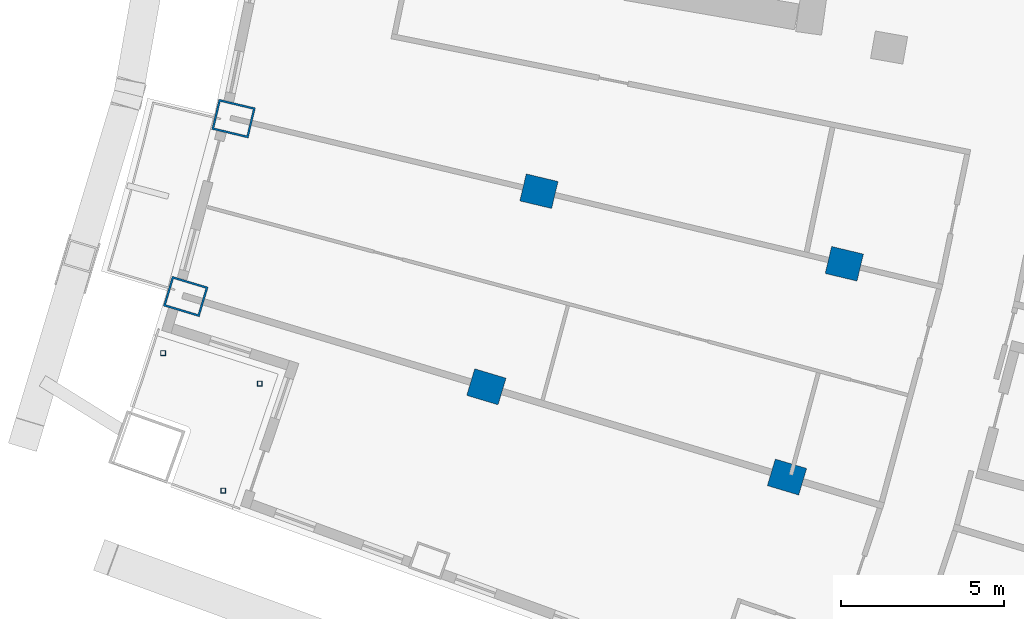
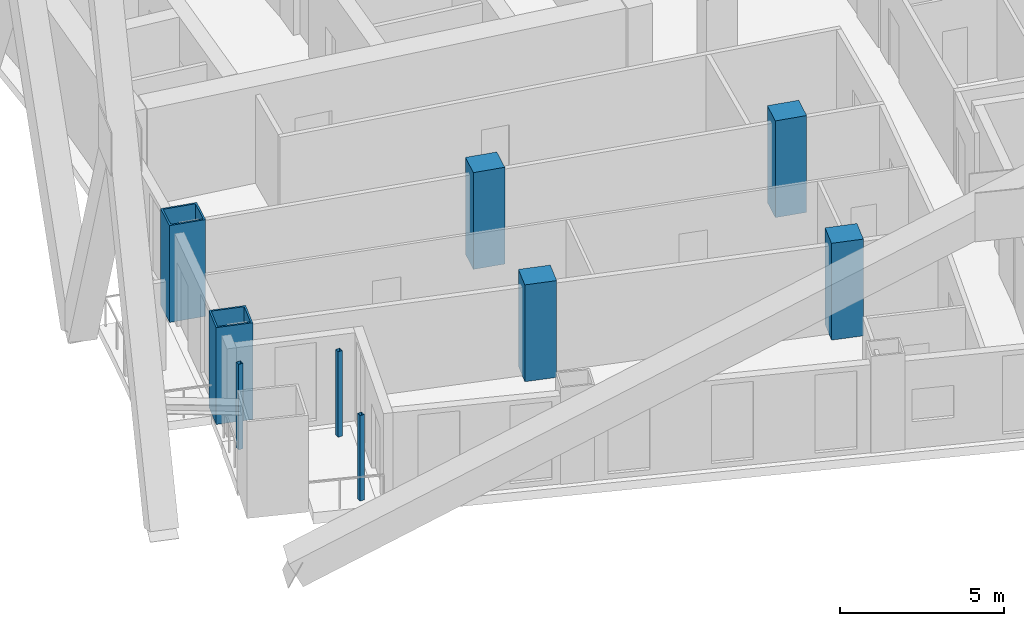
# One storey, part 2 of 24: 9 columns.
"""IFC4 building model written with IfcOpenShell, lengths in metres."""

from ifc_helpers import new_model, si_unit, direction, frame, origin, origin_2d, place, context, subcontext, project, spatial, rectangle, hollow_rectangle, extrude, material, material_profile, profile_set, type_object, element, save


model = new_model("IFC4")

# Units and contexts
model_context = context("Model", 3, precision=1e-05, world=origin(), true_north=direction((0.0, 1.0)))
body_context = subcontext(model_context, "Body", "Model", "MODEL_VIEW")
ifc_project = project(units=[si_unit("LENGTHUNIT", "METRE"), si_unit("AREAUNIT", "SQUARE_METRE"), si_unit("VOLUMEUNIT", "CUBIC_METRE"), si_unit("PLANEANGLEUNIT", "RADIAN"), si_unit("MASSUNIT", "GRAM", prefix="KILO")], contexts=[model_context])

# Site, building, storey
site_placement = place(None, origin())
site = spatial("IfcSite", under=ifc_project, at=site_placement, CompositionType="ELEMENT")
building_placement = place(site_placement, origin())
building = spatial("IfcBuilding", under=site, at=building_placement, Name="Alderwake Tower", CompositionType="ELEMENT")
storey_placement = place(building_placement, frame((0.0, 0.0, 104.0)))
storey = spatial("IfcBuildingStorey", under=building, at=storey_placement, Name="L25", CompositionType="ELEMENT", Elevation=104.0)

# Columns
ifc_material_1 = material(Name="Concrete C70/85", Category="concrete")
ifc_material_profile_1 = material_profile(ifc_material_1, rectangle(XDim=0.85009765625, YDim=1.0, at=origin_2d()), Name="RC 1000X850")
ifc_profile_set_1 = profile_set([ifc_material_profile_1], Name="Concrete C70/85")
column_type_1 = type_object("IfcColumnType", Name="Interior column Z2", PredefinedType="COLUMN", material=ifc_profile_set_1)
for number, where, z_axis, x_axis, name in (
    (1, (21.714599609375, 30.46240234375, 0.0), (0.0, 0.0, 1.0), (0.287549418125, 0.957765802342, 0.0), "Column R02-C1"),
    (2, (30.9091796875, 27.701904296875, 0.0), (0.0, 0.0, 1.0), (0.287549418125, 0.957765802342, 0.0), "Column R02-C2"),
    (3, (23.322021484375, 36.444091796875, 0.0), (0.0, 0.0, 1.0), (0.231221547198, 0.972901123502, 0.0), "Column R03-C1"),
    (4, (32.661865234375, 34.224609375, 0.0), (0.0, 0.0, 1.0), (0.231221547198, 0.972901123502, 0.0), "Column R03-C2"),
):
    element("IfcColumn", number, at=place(storey_placement, frame(where, z_axis=z_axis, x_axis=x_axis)), inside=storey, type_object=column_type_1, Name=name, PredefinedType="COLUMN", context=body_context, shape_type="SweptSolid", body=[
        extrude(rectangle(XDim=0.85009765625, YDim=1.0, at=origin_2d()), origin(), (0.0, 0.0, 1.0), 3.60009765625),
    ])
ifc_material_2 = material(Name="Steel ASTM A500 Grade C", Category="steel")
ifc_material_profile_2 = material_profile(ifc_material_2, hollow_rectangle(XDim=0.15234375, YDim=0.15234375, WallThickness=0.0087890625, at=origin_2d()), Name="HSS6X6X3/8")
ifc_profile_set_2 = profile_set([ifc_material_profile_2], Name="Steel ASTM A500 Grade C")
column_type_2 = type_object("IfcColumnType", Name="Light post HSS6X6X3/8", PredefinedType="COLUMN", material=ifc_profile_set_2)
for number, where, z_axis, x_axis, name in (
    (5, (11.82568359375, 31.492919921875, 0.0), (0.0, 0.0, 1.0), (1.0, 0.0, 0.0), "Terrace post RS1"),
    (6, (13.66796875, 27.28759765625, 0.0), (0.0, 0.0, 1.0), (1.0, 0.0, 0.0), "Terrace post RS2"),
    (7, (14.781494140625, 30.558349609375, 0.0), (0.0, 0.0, 1.0), (1.0, 0.0, 0.0), "Terrace post RS3"),
):
    element("IfcColumn", number, at=place(storey_placement, frame(where, z_axis=z_axis, x_axis=x_axis)), inside=storey, type_object=column_type_2, Name=name, PredefinedType="COLUMN", context=body_context, shape_type="SweptSolid", body=[
        extrude(hollow_rectangle(XDim=0.15234375, YDim=0.15234375, WallThickness=0.0087890625, at=origin_2d()), origin(), (0.0, 0.0, 1.0), 3.179931640625),
    ])
ifc_material_3 = material(Name="Steel ASTM A572 Grade 50 concrete filled C70/85", Category="concrete")
ifc_material_profile_3 = material_profile(ifc_material_3, hollow_rectangle(XDim=0.949951171875, YDim=1.14990234375, WallThickness=0.06005859375, at=origin_2d()), Name="BOX 1150X950X60")
ifc_profile_set_3 = profile_set([ifc_material_profile_3], Name="Steel ASTM A572 Grade 50 concrete filled C70/85")
column_type_3 = type_object("IfcColumnType", Name="Perimeter column Z2", PredefinedType="COLUMN", material=ifc_profile_set_3)
for number, where, z_axis, x_axis, name in (
    (8, (12.520263671875, 33.222900390625, 0.0), (0.0, 0.0, 1.0), (0.287549418125, 0.957765802342, 0.0), "Column R02-C0"),
    (9, (13.982177734375, 38.6640625, 0.0), (0.0, 0.0, 1.0), (0.231221547198, 0.972901123502, 0.0), "Column R03-C0"),
):
    element("IfcColumn", number, at=place(storey_placement, frame(where, z_axis=z_axis, x_axis=x_axis)), inside=storey, type_object=column_type_3, Name=name, PredefinedType="COLUMN", context=body_context, shape_type="SweptSolid", body=[
        extrude(hollow_rectangle(XDim=0.949951171875, YDim=1.14990234375, WallThickness=0.06005859375, at=origin_2d()), origin(), (0.0, 0.0, 1.0), 3.60009765625),
    ])

save(model, "model.ifc")
